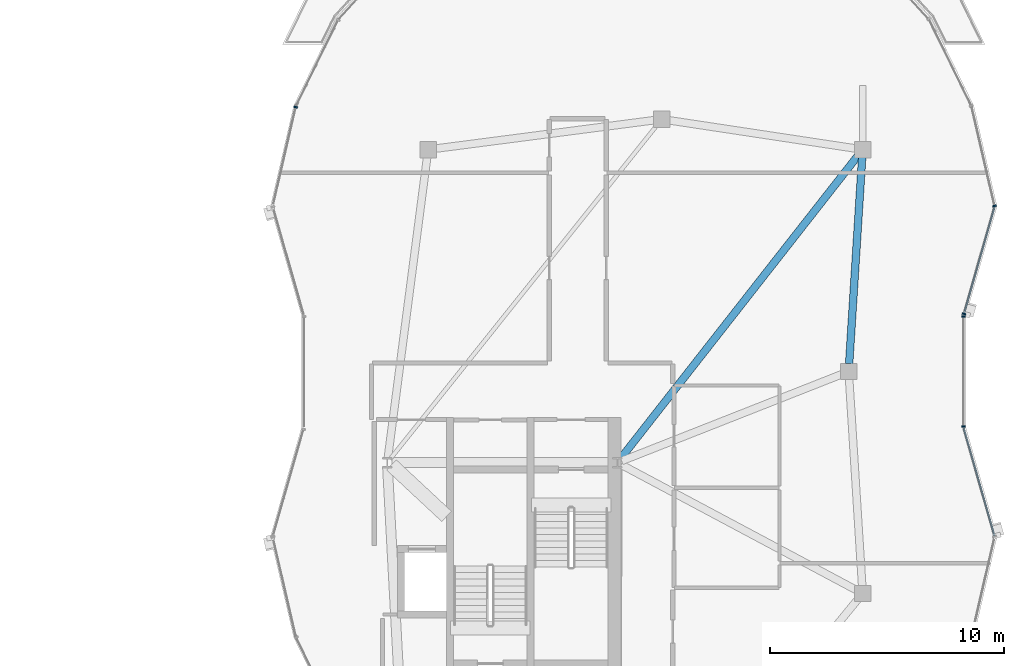
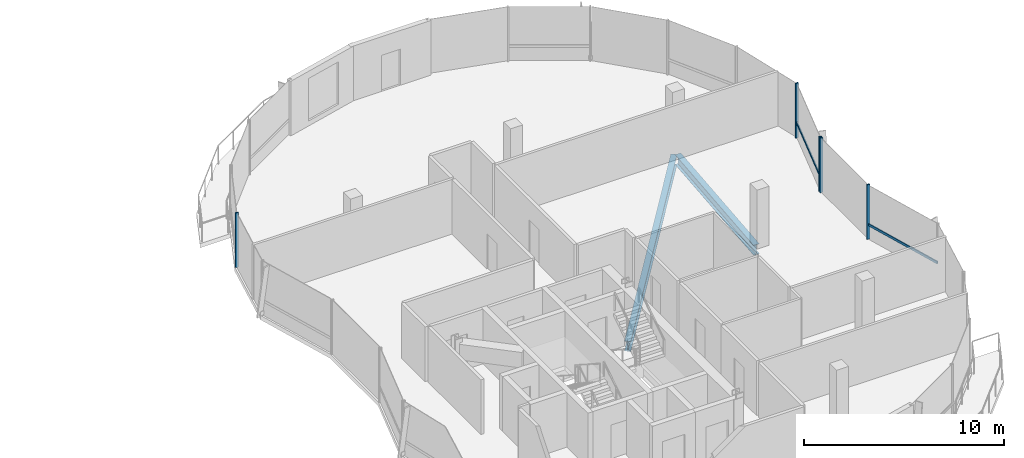
# One storey, part 8 of 20: 7 members, 2 beams, 3 elements without a shape of their own.
"""IFC4 building model written with IfcOpenShell, lengths in metres."""

from ifc_helpers import new_model, si_unit, direction, frame, origin, origin_2d, place, context, subcontext, project, spatial, rectangle, i_section, extrude, material, material_profile, profile_set, type_object, element, aggregate, save


model = new_model("IFC4")

# Units and contexts
model_context = context("Model", 3, precision=1e-05, world=origin(), true_north=direction((0.0, 1.0)))
body_context = subcontext(model_context, "Body", "Model", "MODEL_VIEW")
ifc_project = project(units=[si_unit("LENGTHUNIT", "METRE"), si_unit("AREAUNIT", "SQUARE_METRE"), si_unit("VOLUMEUNIT", "CUBIC_METRE"), si_unit("PLANEANGLEUNIT", "RADIAN"), si_unit("MASSUNIT", "GRAM", prefix="KILO"), si_unit("THERMODYNAMICTEMPERATUREUNIT", "KELVIN"), si_unit("POWERUNIT", "WATT")], contexts=[model_context])

# Site, building, storey
site_placement = place(None, origin())
site = spatial("IfcSite", under=ifc_project, at=site_placement, CompositionType="ELEMENT")
building_placement = place(site_placement, origin())
building = spatial("IfcBuilding", under=site, at=building_placement, Name="Cundina Bronze Exchange", CompositionType="ELEMENT")
storey_placement = place(building_placement, frame((0.0, 0.0, 279.199951171875)))
storey = spatial("IfcBuildingStorey", under=building, at=storey_placement, Name="L74", CompositionType="ELEMENT", Elevation=279.199951171875)

# Beams
ifc_material_1 = material(Name="Steel ASTM A992 Grade 50", Category="steel")
ifc_material_profile_1 = material_profile(ifc_material_1, i_section(OverallWidth=0.324951171875, OverallDepth=0.615966796875, WebThickness=0.013916015625, FlangeThickness=0.021484375, FilletRadius=0.01611328125, at=origin_2d()), Name="W24X117", Category="steel")
ifc_profile_set_1 = profile_set([ifc_material_profile_1], Name="Steel ASTM A992 Grade 50")
beam_type = type_object("IfcBeamType", Name="BM-RING-W24", PredefinedType="USERDEFINED", material=ifc_profile_set_1)
beam_1_placement = place(storey_placement, frame((41.22119140625, 0.33740234375, -0.56787109375), z_axis=(0.063058935332, 0.998009804899, 0.0), x_axis=(-0.998009804899, 0.063058935332, 0.0)))
element("IfcBeam", 1, at=beam_1_placement, inside=storey, type_object=beam_type, Name="L74 E Inner Structural Ring Girder 04", ObjectType="GIRDER", PredefinedType="USERDEFINED", context=body_context, shape_type="SweptSolid", body=[
    extrude(i_section(OverallWidth=0.324951171875, OverallDepth=0.615966796875, WebThickness=0.013916015625, FlangeThickness=0.021484375, FilletRadius=0.01611328125, at=origin_2d()), origin(), (0.0, 0.0, 1.0), 8.8427734375),
])
beam_2_placement = place(storey_placement, frame((31.4208984375, -3.74560546875, -0.56787109375), z_axis=(0.616789200607, 0.787128377087, 0.0), x_axis=(-0.787128377087, 0.616789200607, 0.0)))
element("IfcBeam", 2, at=beam_2_placement, inside=storey, type_object=beam_type, Name="L74 E Core-to-Waist Tie Beam 3", ObjectType="GIRDER", PredefinedType="USERDEFINED", context=body_context, shape_type="SweptSolid", body=[
    extrude(i_section(OverallWidth=0.324951171875, OverallDepth=0.615966796875, WebThickness=0.013916015625, FlangeThickness=0.021484375, FilletRadius=0.01611328125, at=origin_2d()), origin(), (0.0, 0.0, 1.0), 16.48974609375),
])

# Curtain wall, members
ifc_material_2 = material(Name="Anodised Bronze Aluminium 6063-T6", Category="aluminium")
curtain_wall_type = type_object("IfcCurtainWallType", Name="CWS-CRN-TMD", PredefinedType="NOTDEFINED", material=ifc_material_2)
curtain_wall_1_placement = place(storey_placement, origin())
curtain_wall_1 = element("IfcCurtainWall", 3, at=curtain_wall_1_placement, inside=storey, type_object=curtain_wall_type, Name="L74 CW-07 Curtain Wall Run CWR-L74-E1", PredefinedType="NOTDEFINED")
ifc_material_profile_2 = material_profile(ifc_material_2, rectangle(XDim=0.06494140625, YDim=0.159912109375, at=origin_2d()), Name="AL65X160", Category="aluminium")
ifc_profile_set_2 = profile_set([ifc_material_profile_2], Name="Anodised Bronze Aluminium 6063-T6")
member_type_1 = type_object("IfcMemberType", Name="CWM-MUL-160", PredefinedType="MULLION", material=ifc_profile_set_2)
member_1_placement = place(storey_placement, frame((46.13623046875, 2.46728515625, 0.0), z_axis=(0.0, 0.0, 1.0), x_axis=(0.274630573972, 0.961549815579, 0.0)))
member_1 = element("IfcMember", 4, at=member_1_placement, type_object=member_type_1, Name="CW-07 Mullion 1", PredefinedType="MULLION", context=body_context, shape_type="SweptSolid", body=[
    extrude(rectangle(XDim=0.06494140625, YDim=0.159912109375, at=origin_2d()), origin(), (0.0, 0.0, 1.0), 3.340087890625),
])
member_2_placement = place(storey_placement, frame((47.4462890625, 7.08984375, 0.0), z_axis=(0.0, 0.0, 1.0), x_axis=(-0.225291159947, 0.974291482694, 0.0)))
member_2 = element("IfcMember", 5, at=member_2_placement, type_object=member_type_1, Name="CW-07 Mullion 2", PredefinedType="MULLION", context=body_context, shape_type="SweptSolid", body=[
    extrude(rectangle(XDim=0.06494140625, YDim=0.159912109375, at=origin_2d()), origin(), (0.0, 0.0, 1.0), 3.340087890625),
])

# Curtain wall, member
curtain_wall_2_placement = place(storey_placement, origin())
curtain_wall_2 = element("IfcCurtainWall", 6, at=curtain_wall_2_placement, inside=storey, type_object=curtain_wall_type, Name="L74 CW-07 Curtain Wall Run CWR-L74-E2", PredefinedType="NOTDEFINED")
member_3_placement = place(storey_placement, frame((17.53125, 11.318115234375, 0.0), z_axis=(0.0, 0.0, 1.0), x_axis=(-0.225291159947, -0.974291482694, 0.0)))
member_3 = element("IfcMember", 7, at=member_3_placement, type_object=member_type_1, Name="CW-07 Mullion 4", PredefinedType="MULLION", context=body_context, shape_type="SweptSolid", body=[
    extrude(rectangle(XDim=0.06494140625, YDim=0.159912109375, at=origin_2d()), origin(), (0.0, 0.0, 1.0), 3.340087890625),
])
aggregate(curtain_wall_2, [member_3])

# Curtain wall, members
curtain_wall_3_placement = place(storey_placement, origin())
curtain_wall_3 = element("IfcCurtainWall", 8, at=curtain_wall_3_placement, inside=storey, type_object=curtain_wall_type, Name="L74 CW-07 Curtain Wall Run CWR-L74-E4", PredefinedType="NOTDEFINED")
member_4_placement = place(storey_placement, frame((46.1201171875, -2.3505859375, 0.0), z_axis=(0.0, 0.0, 1.0), x_axis=(0.0, 1.0, 0.0)))
member_4 = element("IfcMember", 9, at=member_4_placement, type_object=member_type_1, Name="CW-07 Mullion 6", PredefinedType="MULLION", context=body_context, shape_type="SweptSolid", body=[
    extrude(rectangle(XDim=0.06494140625, YDim=0.159912109375, at=origin_2d()), origin(), (0.0, 0.0, 1.0), 3.340087890625),
])
member_5_placement = place(storey_placement, frame((46.1201171875, 2.3505859375, 0.0), z_axis=(0.0, 0.0, 1.0), x_axis=(0.0, 1.0, 0.0)))
member_5 = element("IfcMember", 10, at=member_5_placement, type_object=member_type_1, Name="CW-07 End Mullion", PredefinedType="MULLION", context=body_context, shape_type="SweptSolid", body=[
    extrude(rectangle(XDim=0.06494140625, YDim=0.159912109375, at=origin_2d()), origin(), (0.0, 0.0, 1.0), 3.340087890625),
])

# Member
ifc_material_profile_3 = material_profile(ifc_material_2, rectangle(XDim=0.06494140625, YDim=0.14990234375, at=origin_2d()), Name="AL65X150", Category="aluminium")
ifc_profile_set_3 = profile_set([ifc_material_profile_3], Name="Anodised Bronze Aluminium 6063-T6")
member_type_2 = type_object("IfcMemberType", Name="CWM-TRN-150", PredefinedType="USERDEFINED", material=ifc_profile_set_3)
member_6_placement = place(storey_placement, frame((46.146240234375, 2.501708984375, 0.920166015625), z_axis=(0.274524986667, 0.961579966355, 0.0), x_axis=(-0.961579966355, 0.274524986667, 0.0)))
member_6 = element("IfcMember", 11, at=member_6_placement, type_object=member_type_2, Name="CW-07 Spandrel Transom 1", ObjectType="TRANSOM", PredefinedType="USERDEFINED", context=body_context, shape_type="SweptSolid", body=[
    extrude(rectangle(XDim=0.06494140625, YDim=0.14990234375, at=origin_2d()), origin(), (0.0, 0.0, 1.0), 4.767578125),
])

aggregate(curtain_wall_1, [member_1, member_6, member_2])

member_7_placement = place(storey_placement, frame((47.435546875, -7.017333984375, 0.920166015625), z_axis=(-0.27457233424, 0.961566447662, 0.0), x_axis=(-0.961566447662, -0.27457233424, 0.0)))
member_7 = element("IfcMember", 12, at=member_7_placement, type_object=member_type_2, Name="CW-07 Spandrel Transom 5", ObjectType="TRANSOM", PredefinedType="USERDEFINED", context=body_context, shape_type="SweptSolid", body=[
    extrude(rectangle(XDim=0.06494140625, YDim=0.14990234375, at=origin_2d()), origin(), (0.0, 0.0, 1.0), 4.767822265625),
])

aggregate(curtain_wall_3, [member_7, member_4, member_5])

save(model, "model.ifc")
